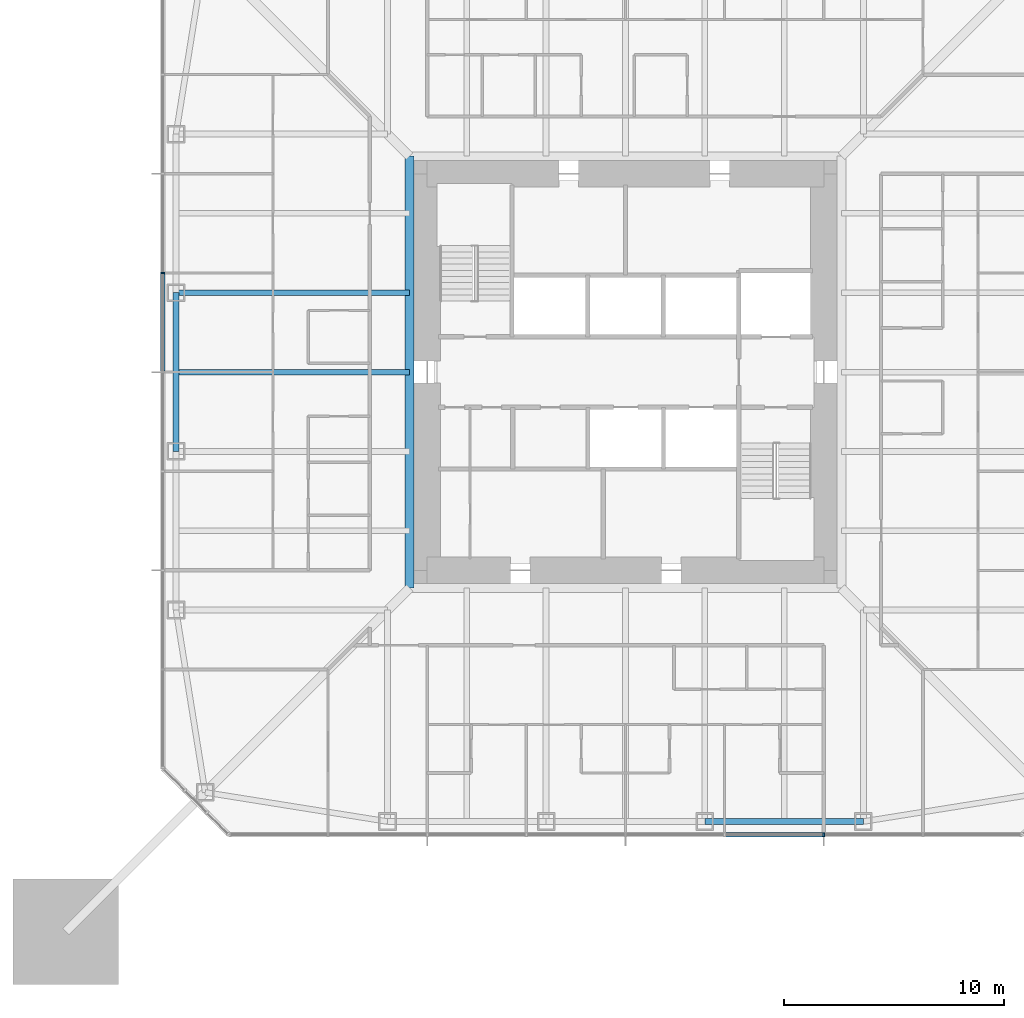
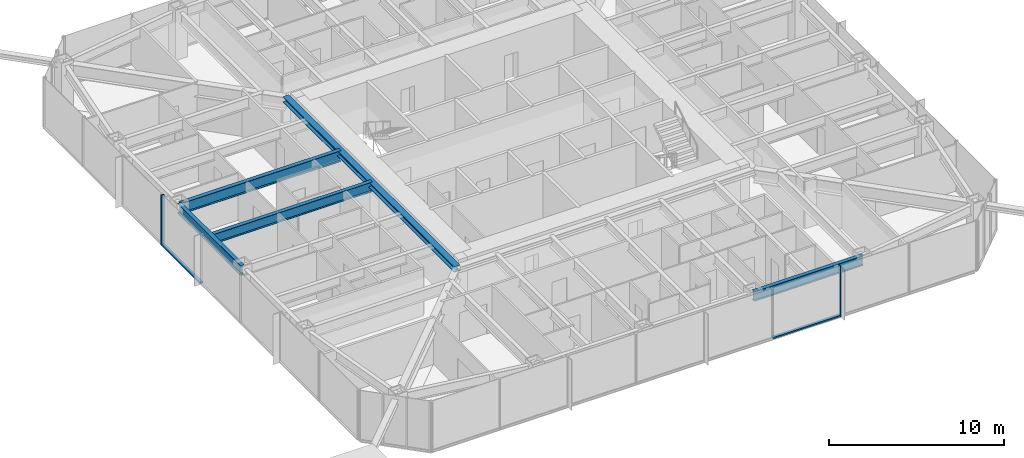
# One storey, part 4 of 25: 5 beams, 4 members, 2 elements without a shape of their own.
"""IFC4 building model written with IfcOpenShell, lengths in metres."""

from ifc_helpers import new_model, si_unit, direction, frame, origin, origin_2d, place, context, subcontext, project, spatial, rectangle, i_section, extrude, material, material_profile, profile_set, type_object, element, aggregate, save


model = new_model("IFC4")

# Units and contexts
model_context = context("Model", 3, precision=1e-05, world=origin(), true_north=direction((0.0, 1.0)))
body_context = subcontext(model_context, "Body", "Model", "MODEL_VIEW")
ifc_project = project(units=[si_unit("LENGTHUNIT", "METRE"), si_unit("AREAUNIT", "SQUARE_METRE"), si_unit("VOLUMEUNIT", "CUBIC_METRE"), si_unit("PLANEANGLEUNIT", "RADIAN"), si_unit("MASSUNIT", "GRAM", prefix="KILO")], contexts=[model_context])

# Site, building, storey
site_placement = place(None, origin())
site = spatial("IfcSite", under=ifc_project, at=site_placement, CompositionType="ELEMENT")
building_placement = place(site_placement, origin())
building = spatial("IfcBuilding", under=site, at=building_placement, Name="Iwan Alto Co-Living Towers", CompositionType="ELEMENT")
storey_placement = place(building_placement, frame((0.0, 0.0, 84.0)))
storey = spatial("IfcBuildingStorey", under=building, at=storey_placement, Name="L22", CompositionType="ELEMENT", Elevation=84.0)

# Curtain wall, member
ifc_material_1 = material(Name="Bronze aluminium unitised frame", Category="aluminium")
curtain_wall_type = type_object("IfcCurtainWallType", Name="CURTAIN WALL CW-A", PredefinedType="NOTDEFINED", material=ifc_material_1)
curtain_wall_1_placement = place(storey_placement, origin())
curtain_wall_1 = element("IfcCurtainWall", 1, at=curtain_wall_1_placement, inside=storey, type_object=curtain_wall_type, Name="T1 curtain wall S L22", PredefinedType="NOTDEFINED")
ifc_material_2 = material(Name="Aluminium 6063-T6 bronze anodised", Category="aluminium")
ifc_material_profile_1 = material_profile(ifc_material_2, rectangle(XDim=0.199951171875, YDim=0.080078125, at=origin_2d()), Name="AL 80X200")
ifc_profile_set_1 = profile_set([ifc_material_profile_1], Name="Aluminium 6063-T6 bronze anodised")
member_type_1 = type_object("IfcMemberType", Name="CW-A MULLION 80X200", PredefinedType="MULLION", material=ifc_profile_set_1)
member_1_placement = place(storey_placement, frame((9.0, -21.0, 0.0), z_axis=(0.0, 0.0, 1.0), x_axis=(0.0, 1.0, 0.0)))
member_1 = element("IfcMember", 2, at=member_1_placement, type_object=member_type_1, Name="CW-A mullion 7", PredefinedType="MULLION", context=body_context, shape_type="SweptSolid", body=[
    extrude(rectangle(XDim=0.199951171875, YDim=0.080078125, at=origin_2d()), origin(), (0.0, 0.0, 1.0), 3.5),
])

curtain_wall_2_placement = place(storey_placement, origin())
curtain_wall_2 = element("IfcCurtainWall", 3, at=curtain_wall_2_placement, inside=storey, type_object=curtain_wall_type, Name="T1 curtain wall W L22", PredefinedType="NOTDEFINED")
member_2_placement = place(storey_placement, frame((-21.0, 4.5, 0.0), z_axis=(0.0, 0.0, 1.0), x_axis=(1.0, 0.0, 0.0)))
member_2 = element("IfcMember", 4, at=member_2_placement, type_object=member_type_1, Name="CW-A mullion 4", PredefinedType="MULLION", context=body_context, shape_type="SweptSolid", body=[
    extrude(rectangle(XDim=0.199951171875, YDim=0.080078125, at=origin_2d()), origin(), (0.0, 0.0, 1.0), 3.5),
])

# Member
ifc_material_3 = material(Name="Aluminium 6063-T6 bronze anodised", Category="aluminium")
ifc_material_profile_2 = material_profile(ifc_material_3, rectangle(XDim=0.199951171875, YDim=0.10009765625, at=origin_2d()), Name="AL 200X100")
ifc_profile_set_2 = profile_set([ifc_material_profile_2], Name="Aluminium 6063-T6 bronze anodised")
member_type_2 = type_object("IfcMemberType", Name="CW-A TRANSOM 200X100", PredefinedType="USERDEFINED", material=ifc_profile_set_2)
member_3_placement = place(storey_placement, frame((4.5400390625, -21.0, 0.050048828125), z_axis=(1.0, 0.0, 0.0), x_axis=(0.0, 1.0, 0.0)))
member_3 = element("IfcMember", 5, at=member_3_placement, type_object=member_type_2, Name="CW-A transom 6.1", ObjectType="TRANSOM", PredefinedType="USERDEFINED", context=body_context, shape_type="SweptSolid", body=[
    extrude(rectangle(XDim=0.199951171875, YDim=0.10009765625, at=origin_2d()), origin(), (0.0, 0.0, 1.0), 4.419921875),
])

aggregate(curtain_wall_1, [member_1, member_3])

member_4_placement = place(storey_placement, frame((-21.0, 4.4599609375, 0.050048828125), z_axis=(0.0, -1.0, 0.0), x_axis=(1.0, 0.0, 0.0)))
member_4 = element("IfcMember", 6, at=member_4_placement, type_object=member_type_2, Name="CW-A transom 4.1", ObjectType="TRANSOM", PredefinedType="USERDEFINED", context=body_context, shape_type="SweptSolid", body=[
    extrude(rectangle(XDim=0.199951171875, YDim=0.10009765625, at=origin_2d()), origin(), (0.0, 0.0, 1.0), 4.419921875),
])

aggregate(curtain_wall_2, [member_2, member_4])

# Beams
ifc_material_4 = material(Name="Steel ASTM A992 Gr 50", Category="steel")
ifc_material_profile_3 = material_profile(ifc_material_4, i_section(OverallWidth=0.398681640625, OverallDepth=0.385986328125, WebThickness=0.02099609375, FlangeThickness=0.033203125, at=origin_2d()), Name="W14X176")
ifc_profile_set_3 = profile_set([ifc_material_profile_3], Name="Steel ASTM A992 Gr 50")
beam_type_1 = type_object("IfcBeamType", Name="T1 CORE LEDGER BEAM W14X176", PredefinedType="BEAM", material=ifc_profile_set_3)
beam_1_placement = place(storey_placement, frame((-9.79931640625, 9.79931640625, 3.076904296875), z_axis=(0.0, -1.0, 0.0), x_axis=(1.0, 0.0, 0.0)))
element("IfcBeam", 7, at=beam_1_placement, inside=storey, type_object=beam_type_1, Name="T1 core ledger beam W L23", PredefinedType="BEAM", context=body_context, shape_type="SweptSolid", body=[
    extrude(i_section(OverallWidth=0.398681640625, OverallDepth=0.385986328125, WebThickness=0.02099609375, FlangeThickness=0.033203125, at=origin_2d()), origin(), (0.0, 0.0, 1.0), 19.5986328125),
])
ifc_material_5 = material(Name="Steel ASTM A992 Gr 50", Category="steel")
ifc_material_profile_4 = material_profile(ifc_material_5, i_section(OverallWidth=0.25390625, OverallDepth=0.683349609375, WebThickness=0.012451171875, FlangeThickness=0.018798828125, at=origin_2d()), Name="W27X94")
ifc_profile_set_4 = profile_set([ifc_material_profile_4], Name="Steel ASTM A992 Gr 50")
beam_type_2 = type_object("IfcBeamType", Name="T1 EDGE BEAM W27X94", PredefinedType="BEAM", material=ifc_profile_set_4)
beam_2_placement = place(storey_placement, frame((3.60009765625, -20.39990234375, 2.928466796875), z_axis=(1.0, 0.0, 0.0), x_axis=(0.0, 1.0, 0.0)))
element("IfcBeam", 8, at=beam_2_placement, inside=storey, type_object=beam_type_2, Name="T1 edge beam S3 L23", PredefinedType="BEAM", context=body_context, shape_type="SweptSolid", body=[
    extrude(i_section(OverallWidth=0.25390625, OverallDepth=0.683349609375, WebThickness=0.012451171875, FlangeThickness=0.018798828125, at=origin_2d()), origin(), (0.0, 0.0, 1.0), 7.199951171875),
])
beam_3_placement = place(storey_placement, frame((-20.39990234375, 3.60009765625, 2.928466796875), z_axis=(0.0, -1.0, 0.0), x_axis=(1.0, 0.0, 0.0)))
element("IfcBeam", 9, at=beam_3_placement, inside=storey, type_object=beam_type_2, Name="T1 edge beam W2 L23", PredefinedType="BEAM", context=body_context, shape_type="SweptSolid", body=[
    extrude(i_section(OverallWidth=0.25390625, OverallDepth=0.683349609375, WebThickness=0.012451171875, FlangeThickness=0.018798828125, at=origin_2d()), origin(), (0.0, 0.0, 1.0), 7.2001953125),
])
ifc_material_6 = material(Name="Steel ASTM A992 Gr 50", Category="steel")
ifc_material_profile_5 = material_profile(ifc_material_6, i_section(OverallWidth=0.2666015625, OverallDepth=0.761962890625, WebThickness=0.014404296875, FlangeThickness=0.021484375, at=origin_2d()), Name="W30X116")
ifc_profile_set_5 = profile_set([ifc_material_profile_5], Name="Steel ASTM A992 Gr 50")
beam_type_3 = type_object("IfcBeamType", Name="T1 RADIAL BEAM W30X116", PredefinedType="BEAM", material=ifc_profile_set_5)
beam_4_placement = place(storey_placement, frame((-20.39990234375, 3.60009765625, 2.888916015625), z_axis=(1.0, 0.0, 0.0), x_axis=(0.0, 1.0, 0.0)))
element("IfcBeam", 10, at=beam_4_placement, inside=storey, type_object=beam_type_3, Name="T1 radial beam W2 L23", PredefinedType="BEAM", context=body_context, shape_type="SweptSolid", body=[
    extrude(i_section(OverallWidth=0.2666015625, OverallDepth=0.761962890625, WebThickness=0.014404296875, FlangeThickness=0.021484375, at=origin_2d()), origin(), (0.0, 0.0, 1.0), 10.6005859375),
])
ifc_material_7 = material(Name="Steel ASTM A992 Gr 50", Category="steel")
ifc_material_profile_6 = material_profile(ifc_material_7, i_section(OverallWidth=0.25390625, OverallDepth=0.683349609375, WebThickness=0.012451171875, FlangeThickness=0.018798828125, at=origin_2d()), Name="W27X94")
ifc_profile_set_6 = profile_set([ifc_material_profile_6], Name="Steel ASTM A992 Gr 50")
beam_type_4 = type_object("IfcBeamType", Name="T1 SECONDARY BEAM W27X94", PredefinedType="JOIST", material=ifc_profile_set_6)
beam_5_placement = place(storey_placement, frame((-20.39990234375, 0.0, 2.928466796875), z_axis=(1.0, 0.0, 0.0), x_axis=(0.0, 1.0, 0.0)))
element("IfcBeam", 11, at=beam_5_placement, inside=storey, type_object=beam_type_4, Name="T1 secondary beam W2 L23", PredefinedType="JOIST", context=body_context, shape_type="SweptSolid", body=[
    extrude(i_section(OverallWidth=0.25390625, OverallDepth=0.683349609375, WebThickness=0.012451171875, FlangeThickness=0.018798828125, at=origin_2d()), origin(), (0.0, 0.0, 1.0), 10.6005859375),
])

save(model, "model.ifc")
